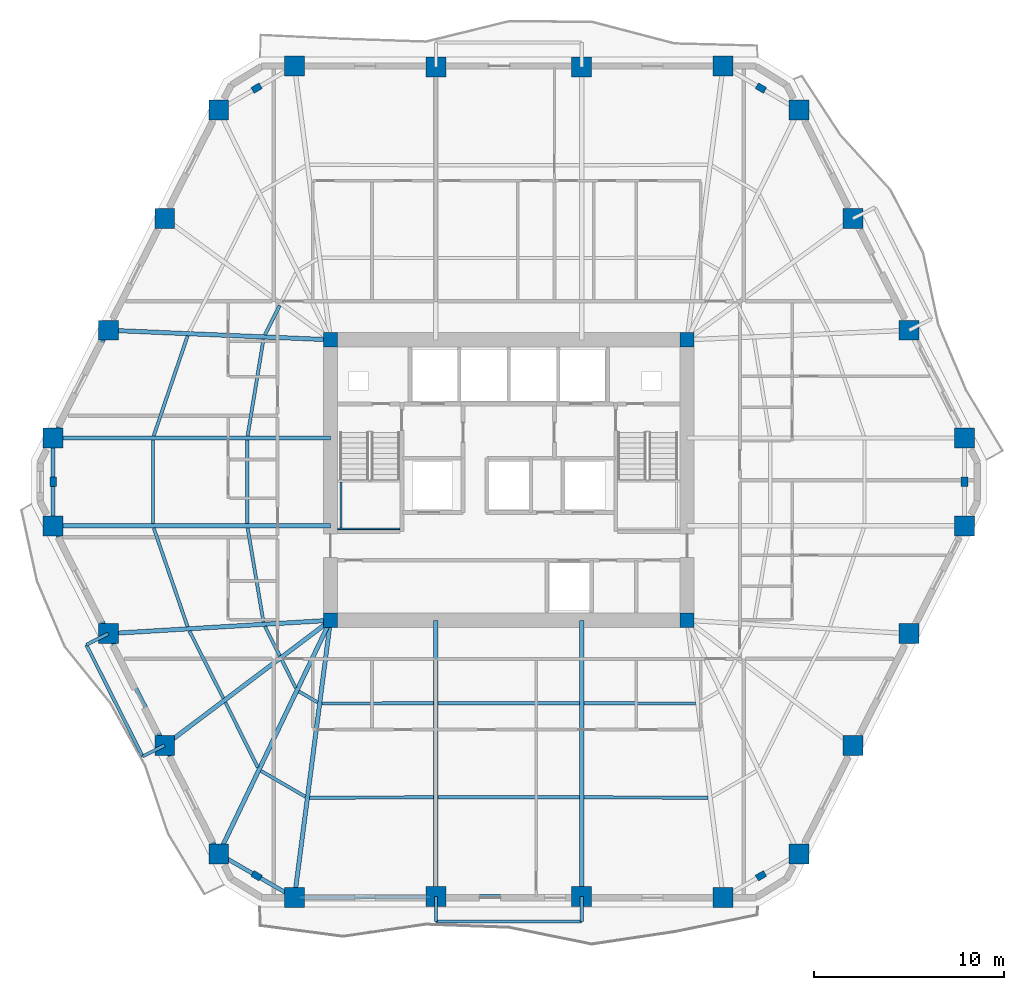
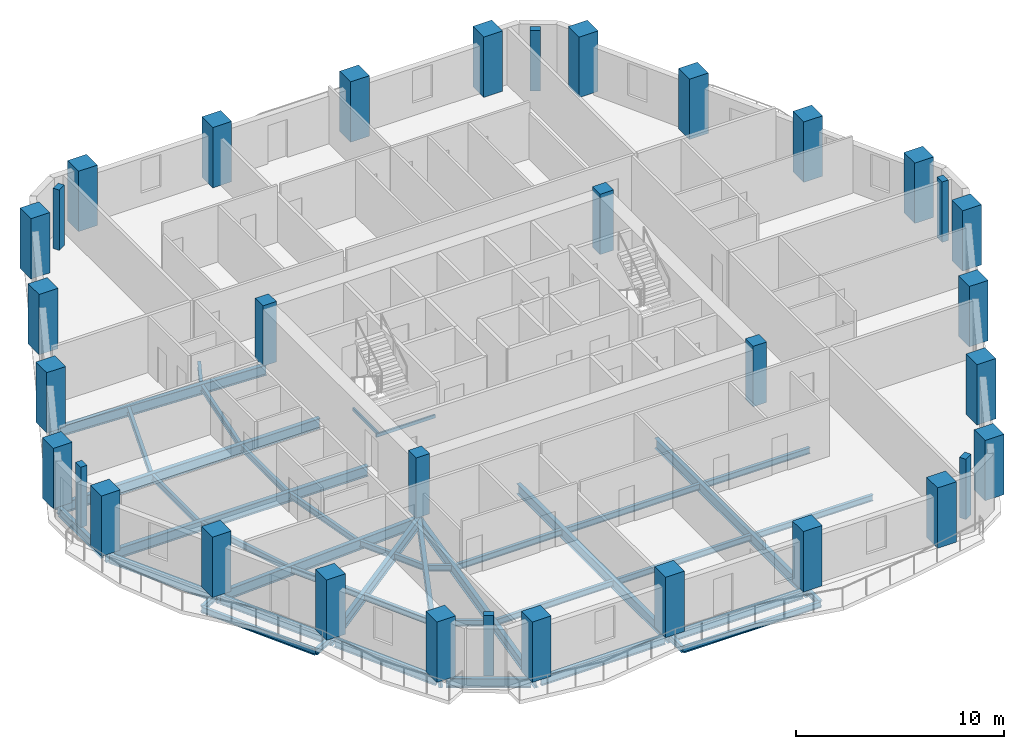
# One storey, part 1 of 11: 44 beams, 34 columns.
"""IFC4 building model written with IfcOpenShell, lengths in metres."""

from ifc_helpers import new_model, si_unit, direction, frame, origin, origin_2d, place, context, subcontext, project, spatial, rectangle, hollow_rectangle, i_section, extrude, material, material_profile, profile_set, type_object, element, save


model = new_model("IFC4")

# Units and contexts
model_context = context("Model", 3, precision=1e-05, world=origin(), true_north=direction((0.0, 1.0)))
body_context = subcontext(model_context, "Body", "Model", "MODEL_VIEW")
ifc_project = project(units=[si_unit("LENGTHUNIT", "METRE"), si_unit("AREAUNIT", "SQUARE_METRE"), si_unit("VOLUMEUNIT", "CUBIC_METRE"), si_unit("PLANEANGLEUNIT", "RADIAN"), si_unit("MASSUNIT", "GRAM", prefix="KILO")], contexts=[model_context])

# Site, building, storey
site_placement = place(None, origin())
site = spatial("IfcSite", under=ifc_project, at=site_placement, CompositionType="ELEMENT")
building_placement = place(site_placement, origin())
building = spatial("IfcBuilding", under=site, at=building_placement, Name="Cinnabar Lancet Tower", CompositionType="ELEMENT")
storey_placement = place(building_placement, frame((0.0, 0.0, 133.89990234375)))
storey = spatial("IfcBuildingStorey", under=building, at=storey_placement, Name="L35", CompositionType="ELEMENT", Elevation=133.89990234375)

# Columns
ifc_material_1 = material(Name="Concrete C70/85", Category="concrete")
ifc_material_profile_1 = material_profile(ifc_material_1, rectangle(XDim=0.75, YDim=0.75, at=origin_2d()), Name="RC-COL 750x750")
ifc_profile_set_1 = profile_set([ifc_material_profile_1], Name="Concrete C70/85")
column_type_1 = type_object("IfcColumnType", Name="STR-COL-CORE-750", PredefinedType="COLUMN", material=ifc_profile_set_1)
for number, where, z_axis, x_axis, name in (
    (1, (23.02490234375, 18.52490234375, 0.0), (0.0, 0.0, 1.0), (1.0, 0.0, 0.0), "L35 Core Corner Column SW"),
    (2, (41.77490234375, 18.52490234375, 0.0), (0.0, 0.0, 1.0), (1.0, 0.0, 0.0), "L35 Core Corner Column SE"),
    (3, (41.77490234375, 33.27490234375, 0.0), (0.0, 0.0, 1.0), (1.0, 0.0, 0.0), "L35 Core Corner Column NE"),
    (4, (23.02490234375, 33.27490234375, 0.0), (0.0, 0.0, 1.0), (1.0, 0.0, 0.0), "L35 Core Corner Column NW"),
):
    element("IfcColumn", number, at=place(storey_placement, frame(where, z_axis=z_axis, x_axis=x_axis)), inside=storey, type_object=column_type_1, Name=name, PredefinedType="COLUMN", context=body_context, shape_type="SweptSolid", body=[
        extrude(rectangle(XDim=0.75, YDim=0.75, at=origin_2d()), origin(), (0.0, 0.0, 1.0), 3.550048828125),
    ])
ifc_material_2 = material(Name="Concrete C60/75", Category="concrete")
ifc_material_profile_2 = material_profile(ifc_material_2, rectangle(XDim=0.5, YDim=0.35009765625, at=origin_2d()), Name="RC-PIL 500x350")
ifc_profile_set_2 = profile_set([ifc_material_profile_2], Name="Concrete C60/75")
column_type_2 = type_object("IfcColumnType", Name="STR-COL-PIL-500", PredefinedType="PILASTER", material=ifc_profile_set_2)
for number, where, z_axis, x_axis, name in (
    (5, (19.14111328125, 5.093017578125, 0.0), (0.0, 0.0, 1.0), (0.865160173452, -0.501495637342, 0.0), "L35 Chamfered Corner Pilaster 1"),
    (6, (45.658935546875, 5.093017578125, 0.0), (0.0, 0.0, 1.0), (0.865160173452, 0.501495637342, 0.0), "L35 Chamfered Corner Pilaster 2"),
    (7, (56.35693359375, 25.800048828125, 0.0), (0.0, 0.0, 1.0), (0.0, 1.0, 0.0), "L35 Chamfered Corner Pilaster 3"),
    (8, (45.658935546875, 46.508056640625, 0.0), (0.0, 0.0, 1.0), (-0.865160173452, 0.501495637342, 0.0), "L35 Chamfered Corner Pilaster 4"),
    (9, (19.14111328125, 46.508056640625, 0.0), (0.0, 0.0, 1.0), (-0.865160173452, -0.501495637342, 0.0), "L35 Chamfered Corner Pilaster 5"),
    (10, (8.443115234375, 25.800048828125, 0.0), (0.0, 0.0, 1.0), (0.0, -1.0, 0.0), "L35 Chamfered Corner Pilaster 6"),
):
    element("IfcColumn", number, at=place(storey_placement, frame(where, z_axis=z_axis, x_axis=x_axis)), inside=storey, type_object=column_type_2, Name=name, PredefinedType="PILASTER", context=body_context, shape_type="SweptSolid", body=[
        extrude(rectangle(XDim=0.5, YDim=0.35009765625, at=origin_2d()), origin(), (0.0, 0.0, 1.0), 3.550048828125),
    ])
ifc_material_3 = material(Name="Concrete C70/85", Category="concrete")
ifc_material_profile_3 = material_profile(ifc_material_3, rectangle(XDim=1.050048828125, YDim=1.050048828125, at=origin_2d()), Name="RC-COL 1050x1050")
ifc_profile_set_3 = profile_set([ifc_material_profile_3], Name="Concrete C70/85")
column_type_3 = type_object("IfcColumnType", Name="STR-COL-TUBE-1050", PredefinedType="COLUMN", material=ifc_profile_set_3)
for number, where, z_axis, x_axis, name in (
    (11, (21.131103515625, 3.93896484375, 0.0), (0.0, 0.0, 1.0), (1.0, 0.0, 0.0), "L35 Perimeter Tube Column 1"),
    (12, (28.568115234375, 3.991943359375, 0.0), (0.0, 0.0, 1.0), (1.0, 0.0, 0.0), "L35 Perimeter Tube Column 2"),
    (13, (36.23193359375, 3.991943359375, 0.0), (0.0, 0.0, 1.0), (1.0, 0.0, 0.0), "L35 Perimeter Tube Column 3"),
    (14, (43.6689453125, 3.93896484375, 0.0), (0.0, 0.0, 1.0), (1.0, 0.0, 0.0), "L35 Perimeter Tube Column 4"),
    (15, (47.64892578125, 6.24609375, 0.0), (0.0, 0.0, 1.0), (1.0, 0.0, 0.0), "L35 Perimeter Tube Column 5"),
    (16, (50.489013671875, 11.955078125, 0.0), (0.0, 0.0, 1.0), (1.0, 0.0, 0.0), "L35 Perimeter Tube Column 6"),
    (17, (53.451904296875, 17.823974609375, 0.0), (0.0, 0.0, 1.0), (1.0, 0.0, 0.0), "L35 Perimeter Tube Column 7"),
    (18, (56.35693359375, 23.490966796875, 0.0), (0.0, 0.0, 1.0), (1.0, 0.0, 0.0), "L35 Perimeter Tube Column 8"),
    (19, (56.35693359375, 28.10888671875, 0.0), (0.0, 0.0, 1.0), (1.0, 0.0, 0.0), "L35 Perimeter Tube Column 9"),
    (20, (53.451904296875, 33.77587890625, 0.0), (0.0, 0.0, 1.0), (1.0, 0.0, 0.0), "L35 Perimeter Tube Column 10"),
    (21, (50.489013671875, 39.64501953125, 0.0), (0.0, 0.0, 1.0), (1.0, 0.0, 0.0), "L35 Perimeter Tube Column 11"),
    (22, (47.64892578125, 45.35400390625, 0.0), (0.0, 0.0, 1.0), (1.0, 0.0, 0.0), "L35 Perimeter Tube Column 12"),
    (23, (43.6689453125, 47.660888671875, 0.0), (0.0, 0.0, 1.0), (1.0, 0.0, 0.0), "L35 Perimeter Tube Column 13"),
    (24, (36.23193359375, 47.60791015625, 0.0), (0.0, 0.0, 1.0), (1.0, 0.0, 0.0), "L35 Perimeter Tube Column 14"),
    (25, (28.568115234375, 47.60791015625, 0.0), (0.0, 0.0, 1.0), (1.0, 0.0, 0.0), "L35 Perimeter Tube Column 15"),
    (26, (21.131103515625, 47.660888671875, 0.0), (0.0, 0.0, 1.0), (1.0, 0.0, 0.0), "L35 Perimeter Tube Column 16"),
    (27, (17.15087890625, 45.35400390625, 0.0), (0.0, 0.0, 1.0), (1.0, 0.0, 0.0), "L35 Perimeter Tube Column 17"),
    (28, (14.31103515625, 39.64501953125, 0.0), (0.0, 0.0, 1.0), (1.0, 0.0, 0.0), "L35 Perimeter Tube Column 18"),
    (29, (11.347900390625, 33.77587890625, 0.0), (0.0, 0.0, 1.0), (1.0, 0.0, 0.0), "L35 Perimeter Tube Column 19"),
    (30, (8.443115234375, 28.10888671875, 0.0), (0.0, 0.0, 1.0), (1.0, 0.0, 0.0), "L35 Perimeter Tube Column 20"),
    (31, (8.443115234375, 23.490966796875, 0.0), (0.0, 0.0, 1.0), (1.0, 0.0, 0.0), "L35 Perimeter Tube Column 21"),
    (32, (11.347900390625, 17.823974609375, 0.0), (0.0, 0.0, 1.0), (1.0, 0.0, 0.0), "L35 Perimeter Tube Column 22"),
    (33, (14.31103515625, 11.955078125, 0.0), (0.0, 0.0, 1.0), (1.0, 0.0, 0.0), "L35 Perimeter Tube Column 23"),
    (34, (17.15087890625, 6.24609375, 0.0), (0.0, 0.0, 1.0), (1.0, 0.0, 0.0), "L35 Perimeter Tube Column 24"),
):
    element("IfcColumn", number, at=place(storey_placement, frame(where, z_axis=z_axis, x_axis=x_axis)), inside=storey, type_object=column_type_3, Name=name, PredefinedType="COLUMN", context=body_context, shape_type="SweptSolid", body=[
        extrude(rectangle(XDim=1.050048828125, YDim=1.050048828125, at=origin_2d()), origin(), (0.0, 0.0, 1.0), 3.550048828125),
    ])

# Beams
ifc_material_4 = material(Name="Structural steel S355", Category="steel")
ifc_material_profile_4 = material_profile(ifc_material_4, i_section(OverallWidth=0.17138671875, OverallDepth=0.35498046875, WebThickness=0.00732421875, FlangeThickness=0.011474609375, FilletRadius=0.01025390625, at=origin_2d()), Name="UKB 356x171x51")
ifc_profile_set_4 = profile_set([ifc_material_profile_4], Name="Structural steel S355")
beam_type_1 = type_object("IfcBeamType", Name="STR-BM-JST-356", PredefinedType="JOIST", material=ifc_profile_set_4)
beam_1_placement = place(storey_placement, frame((13.73193359375, 23.376953125, -0.387939453125), z_axis=(0.324639458548, -0.945837841257, 0.0), x_axis=(0.945837841257, 0.324639458548, 0.0)))
element("IfcBeam", 35, at=beam_1_placement, inside=storey, type_object=beam_type_1, Name="L35 Secondary Floor Joist 1", PredefinedType="JOIST", context=body_context, shape_type="SweptSolid", body=[
    extrude(i_section(OverallWidth=0.17138671875, OverallDepth=0.35498046875, WebThickness=0.00732421875, FlangeThickness=0.011474609375, FilletRadius=0.01025390625, at=origin_2d()), origin(), (0.0, 0.0, 1.0), 5.486083984375),
])
beam_2_placement = place(storey_placement, frame((18.669921875, 23.376953125, -0.387939453125), z_axis=(0.165984412241, -0.986128376477, 0.0), x_axis=(0.986128376477, 0.165984412241, 0.0)))
element("IfcBeam", 36, at=beam_2_placement, inside=storey, type_object=beam_type_1, Name="L35 Secondary Floor Joist 2", PredefinedType="JOIST", context=body_context, shape_type="SweptSolid", body=[
    extrude(i_section(OverallWidth=0.17138671875, OverallDepth=0.35498046875, WebThickness=0.00732421875, FlangeThickness=0.011474609375, FilletRadius=0.01025390625, at=origin_2d()), origin(), (0.0, 0.0, 1.0), 5.0185546875),
])
beam_3_placement = place(storey_placement, frame((15.60791015625, 17.965087890625, -0.387939453125), z_axis=(0.450755070916, -0.892647671841, 0.0), x_axis=(0.892647671841, 0.450755070916, 0.0)))
element("IfcBeam", 37, at=beam_3_placement, inside=storey, type_object=beam_type_1, Name="L35 Secondary Floor Joist 3", PredefinedType="JOIST", context=body_context, shape_type="SweptSolid", body=[
    extrude(i_section(OverallWidth=0.17138671875, OverallDepth=0.35498046875, WebThickness=0.00732421875, FlangeThickness=0.011474609375, FilletRadius=0.01025390625, at=origin_2d()), origin(), (0.0, 0.0, 1.0), 3.966796875),
])
beam_4_placement = place(storey_placement, frame((19.577880859375, 18.2041015625, -0.387939453125), z_axis=(0.450874341268, -0.892587434589, 0.0), x_axis=(0.892587434589, 0.450874341268, 0.0)))
element("IfcBeam", 38, at=beam_4_placement, inside=storey, type_object=beam_type_1, Name="L35 Secondary Floor Joist 4", PredefinedType="JOIST", context=body_context, shape_type="SweptSolid", body=[
    extrude(i_section(OverallWidth=0.17138671875, OverallDepth=0.35498046875, WebThickness=0.00732421875, FlangeThickness=0.011474609375, FilletRadius=0.01025390625, at=origin_2d()), origin(), (0.0, 0.0, 1.0), 1.732177734375),
])
beam_5_placement = place(storey_placement, frame((17.5, 14.216064453125, -0.387939453125), z_axis=(0.445295120803, -0.895383859241, 0.0), x_axis=(0.895383859241, 0.445295120803, 0.0)))
element("IfcBeam", 39, at=beam_5_placement, inside=storey, type_object=beam_type_1, Name="L35 Secondary Floor Joist 5", PredefinedType="JOIST", context=body_context, shape_type="SweptSolid", body=[
    extrude(i_section(OverallWidth=0.17138671875, OverallDepth=0.35498046875, WebThickness=0.00732421875, FlangeThickness=0.011474609375, FilletRadius=0.01025390625, at=origin_2d()), origin(), (0.0, 0.0, 1.0), 3.81982421875),
])
beam_6_placement = place(storey_placement, frame((20.4619140625, 16.449951171875, -0.387939453125), z_axis=(0.445557690111, -0.895253229418, 0.0), x_axis=(0.895253229418, 0.445557690111, 0.0)))
element("IfcBeam", 40, at=beam_6_placement, inside=storey, type_object=beam_type_1, Name="L35 Secondary Floor Joist 6", PredefinedType="JOIST", context=body_context, shape_type="SweptSolid", body=[
    extrude(i_section(OverallWidth=0.17138671875, OverallDepth=0.35498046875, WebThickness=0.00732421875, FlangeThickness=0.011474609375, FilletRadius=0.01025390625, at=origin_2d()), origin(), (0.0, 0.0, 1.0), 1.652099609375),
])
beam_7_placement = place(storey_placement, frame((19.364990234375, 10.60888671875, -0.387939453125), z_axis=(0.865172906898, -0.501473669469, 0.0), x_axis=(0.501473669469, 0.865172906898, 0.0)))
element("IfcBeam", 41, at=beam_7_placement, inside=storey, type_object=beam_type_1, Name="L35 Secondary Floor Joist 7", PredefinedType="JOIST", context=body_context, shape_type="SweptSolid", body=[
    extrude(i_section(OverallWidth=0.17138671875, OverallDepth=0.35498046875, WebThickness=0.00732421875, FlangeThickness=0.011474609375, FilletRadius=0.01025390625, at=origin_2d()), origin(), (0.0, 0.0, 1.0), 2.705810546875),
])
beam_8_placement = place(storey_placement, frame((21.362060546875, 14.783935546875, -0.387939453125), z_axis=(0.865055308165, -0.501676503154, 0.0), x_axis=(0.501676503154, 0.865055308165, 0.0)))
element("IfcBeam", 42, at=beam_8_placement, inside=storey, type_object=beam_type_1, Name="L35 Secondary Floor Joist 8", PredefinedType="JOIST", context=body_context, shape_type="SweptSolid", body=[
    extrude(i_section(OverallWidth=0.17138671875, OverallDepth=0.35498046875, WebThickness=0.00732421875, FlangeThickness=0.011474609375, FilletRadius=0.01025390625, at=origin_2d()), origin(), (0.0, 0.0, 1.0), 1.14208984375),
])
beam_9_placement = place(storey_placement, frame((21.927978515625, 9.19091796875, -0.387939453125), z_axis=(0.999987991898, 0.004900618269, 0.0), x_axis=(-0.004900618269, 0.999987991898, 0.0)))
element("IfcBeam", 43, at=beam_9_placement, inside=storey, type_object=beam_type_1, Name="L35 Secondary Floor Joist 9", PredefinedType="JOIST", context=body_context, shape_type="SweptSolid", body=[
    extrude(i_section(OverallWidth=0.17138671875, OverallDepth=0.35498046875, WebThickness=0.00732421875, FlangeThickness=0.011474609375, FilletRadius=0.01025390625, at=origin_2d()), origin(), (0.0, 0.0, 1.0), 6.526123046875),
])
beam_10_placement = place(storey_placement, frame((22.572021484375, 14.14892578125, -0.387939453125), z_axis=(0.999996247906, 0.002739374605, 0.0), x_axis=(-0.002739374605, 0.999996247906, 0.0)))
element("IfcBeam", 44, at=beam_10_placement, inside=storey, type_object=beam_type_1, Name="L35 Secondary Floor Joist 10", PredefinedType="JOIST", context=body_context, shape_type="SweptSolid", body=[
    extrude(i_section(OverallWidth=0.17138671875, OverallDepth=0.35498046875, WebThickness=0.00732421875, FlangeThickness=0.011474609375, FilletRadius=0.01025390625, at=origin_2d()), origin(), (0.0, 0.0, 1.0), 5.882080078125),
])
for number, where, z_axis, x_axis, name in (
    (45, (28.681884765625, 9.22412109375, -0.387939453125), (1.0, 0.0, 0.0), (0.0, 1.0, 0.0), "L35 Secondary Floor Joist 11"),
    (46, (28.681884765625, 14.1650390625, -0.387939453125), (1.0, 0.0, 0.0), (0.0, 1.0, 0.0), "L35 Secondary Floor Joist 12"),
):
    element("IfcBeam", number, at=place(storey_placement, frame(where, z_axis=z_axis, x_axis=x_axis)), inside=storey, type_object=beam_type_1, Name=name, PredefinedType="JOIST", context=body_context, shape_type="SweptSolid", body=[
        extrude(i_section(OverallWidth=0.17138671875, OverallDepth=0.35498046875, WebThickness=0.00732421875, FlangeThickness=0.011474609375, FilletRadius=0.01025390625, at=origin_2d()), origin(), (0.0, 0.0, 1.0), 7.43603515625),
    ])
beam_11_placement = place(storey_placement, frame((36.345947265625, 9.222900390625, -0.387939453125), z_axis=(0.999987991898, -0.004900618269, 0.0), x_axis=(0.004900618269, 0.999987991898, 0.0)))
element("IfcBeam", 47, at=beam_11_placement, inside=storey, type_object=beam_type_1, Name="L35 Secondary Floor Joist 13", PredefinedType="JOIST", context=body_context, shape_type="SweptSolid", body=[
    extrude(i_section(OverallWidth=0.17138671875, OverallDepth=0.35498046875, WebThickness=0.00732421875, FlangeThickness=0.011474609375, FilletRadius=0.01025390625, at=origin_2d()), origin(), (0.0, 0.0, 1.0), 6.526123046875),
])
beam_12_placement = place(storey_placement, frame((36.345947265625, 14.1650390625, -0.387939453125), z_axis=(0.999996247906, -0.002739374605, 0.0), x_axis=(0.002739374605, 0.999996247906, 0.0)))
element("IfcBeam", 48, at=beam_12_placement, inside=storey, type_object=beam_type_1, Name="L35 Secondary Floor Joist 14", PredefinedType="JOIST", context=body_context, shape_type="SweptSolid", body=[
    extrude(i_section(OverallWidth=0.17138671875, OverallDepth=0.35498046875, WebThickness=0.00732421875, FlangeThickness=0.011474609375, FilletRadius=0.01025390625, at=origin_2d()), origin(), (0.0, 0.0, 1.0), 5.882080078125),
])
beam_13_placement = place(storey_placement, frame((20.35888671875, 35.0830078125, -0.387939453125), z_axis=(-0.450931068976, -0.892558777354, 0.0), x_axis=(0.892558777354, -0.450931068976, 0.0)))
element("IfcBeam", 49, at=beam_13_placement, inside=storey, type_object=beam_type_1, Name="L35 Secondary Floor Joist 44", PredefinedType="JOIST", context=body_context, shape_type="SweptSolid", body=[
    extrude(i_section(OverallWidth=0.17138671875, OverallDepth=0.35498046875, WebThickness=0.00732421875, FlangeThickness=0.011474609375, FilletRadius=0.01025390625, at=origin_2d()), origin(), (0.0, 0.0, 1.0), 1.73193359375),
])
beam_14_placement = place(storey_placement, frame((15.513916015625, 33.48291015625, -0.387939453125), z_axis=(-0.321023911172, -0.947071089442, 0.0), x_axis=(0.947071089442, -0.321023911172, 0.0)))
element("IfcBeam", 50, at=beam_14_placement, inside=storey, type_object=beam_type_1, Name="L35 Secondary Floor Joist 45", PredefinedType="JOIST", context=body_context, shape_type="SweptSolid", body=[
    extrude(i_section(OverallWidth=0.17138671875, OverallDepth=0.35498046875, WebThickness=0.00732421875, FlangeThickness=0.011474609375, FilletRadius=0.01025390625, at=origin_2d()), origin(), (0.0, 0.0, 1.0), 5.553955078125),
])
beam_15_placement = place(storey_placement, frame((19.5029296875, 33.31201171875, -0.387939453125), z_axis=(-0.161719098977, -0.986836832017, 0.0), x_axis=(0.986836832017, -0.161719098977, 0.0)))
element("IfcBeam", 51, at=beam_15_placement, inside=storey, type_object=beam_type_1, Name="L35 Secondary Floor Joist 46", PredefinedType="JOIST", context=body_context, shape_type="SweptSolid", body=[
    extrude(i_section(OverallWidth=0.17138671875, OverallDepth=0.35498046875, WebThickness=0.00732421875, FlangeThickness=0.011474609375, FilletRadius=0.01025390625, at=origin_2d()), origin(), (0.0, 0.0, 1.0), 5.156982421875),
])
for number, where, z_axis, x_axis, name in (
    (52, (13.693115234375, 27.9951171875, -0.387939453125), (0.0, -1.0, 0.0), (1.0, 0.0, 0.0), "L35 Secondary Floor Joist 47"),
    (53, (18.64990234375, 27.9951171875, -0.387939453125), (0.0, -1.0, 0.0), (1.0, 0.0, 0.0), "L35 Secondary Floor Joist 48"),
):
    element("IfcBeam", number, at=place(storey_placement, frame(where, z_axis=z_axis, x_axis=x_axis)), inside=storey, type_object=beam_type_1, Name=name, PredefinedType="JOIST", context=body_context, shape_type="SweptSolid", body=[
        extrude(i_section(OverallWidth=0.17138671875, OverallDepth=0.35498046875, WebThickness=0.00732421875, FlangeThickness=0.011474609375, FilletRadius=0.01025390625, at=origin_2d()), origin(), (0.0, 0.0, 1.0), 4.39013671875),
    ])
ifc_material_5 = material(Name="Structural steel S355", Category="steel")
ifc_material_profile_5 = material_profile(ifc_material_5, hollow_rectangle(XDim=0.10009765625, YDim=0.199951171875, WallThickness=0.008056640625, InnerFilletRadius=0.00390625, OuterFilletRadius=0.011962890625, at=origin_2d()), Name="RHS 200x100x8")
ifc_profile_set_5 = profile_set([ifc_material_profile_5], Name="Structural steel S355")
beam_type_2 = type_object("IfcBeamType", Name="STR-BM-LND-203", PredefinedType="BEAM", material=ifc_profile_set_5)
beam_16_placement = place(storey_placement, frame((23.39990234375, 23.330078125, 1.47509765625), z_axis=(1.0, 0.0, 0.0), x_axis=(0.0, 1.0, 0.0)))
element("IfcBeam", 54, at=beam_16_placement, inside=storey, type_object=beam_type_2, Name="L35 ST-1-L35 Landing Support Beam S", PredefinedType="BEAM", context=body_context, shape_type="SweptSolid", body=[
    extrude(hollow_rectangle(XDim=0.10009765625, YDim=0.199951171875, WallThickness=0.008056640625, InnerFilletRadius=0.00390625, OuterFilletRadius=0.011962890625, at=origin_2d()), origin(), (0.0, 0.0, 1.0), 3.280029296875),
])
beam_17_placement = place(storey_placement, frame((23.580078125, 23.3798828125, 1.47509765625), z_axis=(0.0, 1.0, 0.0), x_axis=(-1.0, 0.0, 0.0)))
element("IfcBeam", 55, at=beam_17_placement, inside=storey, type_object=beam_type_2, Name="L35 ST-1-L35 Landing Side Trimmer Beam", PredefinedType="BEAM", context=body_context, shape_type="SweptSolid", body=[
    extrude(hollow_rectangle(XDim=0.10009765625, YDim=0.199951171875, WallThickness=0.008056640625, InnerFilletRadius=0.00390625, OuterFilletRadius=0.011962890625, at=origin_2d()), origin(), (0.0, 0.0, 1.0), 2.4150390625),
])
ifc_material_6 = material(Name="Structural steel S355", Category="steel")
ifc_material_profile_6 = material_profile(ifc_material_6, i_section(OverallWidth=0.209228515625, OverallDepth=0.533203125, WebThickness=0.010009765625, FlangeThickness=0.015625, FilletRadius=0.0126953125, at=origin_2d()), Name="UKB 533x210x92")
ifc_profile_set_6 = profile_set([ifc_material_profile_6], Name="Structural steel S355")
beam_type_3 = type_object("IfcBeamType", Name="STR-BM-SPN-533", PredefinedType="SPANDREL", material=ifc_profile_set_6)
beam_18_placement = place(storey_placement, frame((21.381103515625, 3.94091796875, -0.476806640625), z_axis=(0.999974980359, 0.007073800628, 0.0), x_axis=(-0.007073800628, 0.999974980359, 0.0)))
element("IfcBeam", 56, at=beam_18_placement, inside=storey, type_object=beam_type_3, Name="L35 Perimeter Spandrel 1", PredefinedType="SPANDREL", context=body_context, shape_type="SweptSolid", body=[
    extrude(i_section(OverallWidth=0.209228515625, OverallDepth=0.533203125, WebThickness=0.010009765625, FlangeThickness=0.015625, FilletRadius=0.0126953125, at=origin_2d()), origin(), (0.0, 0.0, 1.0), 6.937255859375),
])
beam_19_placement = place(storey_placement, frame((28.818115234375, 3.991943359375, -0.476806640625), z_axis=(1.0, 0.0, 0.0), x_axis=(0.0, 1.0, 0.0)))
element("IfcBeam", 57, at=beam_19_placement, inside=storey, type_object=beam_type_3, Name="L35 Perimeter Spandrel 2", PredefinedType="SPANDREL", context=body_context, shape_type="SweptSolid", body=[
    extrude(i_section(OverallWidth=0.209228515625, OverallDepth=0.533203125, WebThickness=0.010009765625, FlangeThickness=0.015625, FilletRadius=0.0126953125, at=origin_2d()), origin(), (0.0, 0.0, 1.0), 7.163818359375),
])
beam_20_placement = place(storey_placement, frame((11.23388671875, 33.553955078125, -0.476806640625), z_axis=(-0.456126618405, -0.889914888055, 0.0), x_axis=(0.889914888055, -0.456126618405, 0.0)))
element("IfcBeam", 58, at=beam_20_placement, inside=storey, type_object=beam_type_3, Name="L35 Perimeter Spandrel 19", PredefinedType="SPANDREL", context=body_context, shape_type="SweptSolid", body=[
    extrude(i_section(OverallWidth=0.209228515625, OverallDepth=0.533203125, WebThickness=0.010009765625, FlangeThickness=0.015625, FilletRadius=0.0126953125, at=origin_2d()), origin(), (0.0, 0.0, 1.0), 5.868896484375),
])
beam_21_placement = place(storey_placement, frame((8.443115234375, 27.85888671875, -0.476806640625), z_axis=(0.0, -1.0, 0.0), x_axis=(1.0, 0.0, 0.0)))
element("IfcBeam", 59, at=beam_21_placement, inside=storey, type_object=beam_type_3, Name="L35 Perimeter Spandrel 20", PredefinedType="SPANDREL", context=body_context, shape_type="SweptSolid", body=[
    extrude(i_section(OverallWidth=0.209228515625, OverallDepth=0.533203125, WebThickness=0.010009765625, FlangeThickness=0.015625, FilletRadius=0.0126953125, at=origin_2d()), origin(), (0.0, 0.0, 1.0), 4.117919921875),
])
beam_22_placement = place(storey_placement, frame((8.556884765625, 23.26904296875, -0.476806640625), z_axis=(0.456109733574, -0.889923542187, 0.0), x_axis=(0.889923542187, 0.456109733574, 0.0)))
element("IfcBeam", 60, at=beam_22_placement, inside=storey, type_object=beam_type_3, Name="L35 Perimeter Spandrel 21", PredefinedType="SPANDREL", context=body_context, shape_type="SweptSolid", body=[
    extrude(i_section(OverallWidth=0.209228515625, OverallDepth=0.533203125, WebThickness=0.010009765625, FlangeThickness=0.015625, FilletRadius=0.0126953125, at=origin_2d()), origin(), (0.0, 0.0, 1.0), 5.869140625),
])
beam_23_placement = place(storey_placement, frame((11.4609375, 17.60107421875, -0.476806640625), z_axis=(0.450570325924, -0.892740937449, 0.0), x_axis=(0.892740937449, 0.450570325924, 0.0)))
element("IfcBeam", 61, at=beam_23_placement, inside=storey, type_object=beam_type_3, Name="L35 Perimeter Spandrel 22", PredefinedType="SPANDREL", context=body_context, shape_type="SweptSolid", body=[
    extrude(i_section(OverallWidth=0.209228515625, OverallDepth=0.533203125, WebThickness=0.010009765625, FlangeThickness=0.015625, FilletRadius=0.0126953125, at=origin_2d()), origin(), (0.0, 0.0, 1.0), 6.07470703125),
])
beam_24_placement = place(storey_placement, frame((14.422119140625, 11.73095703125, -0.476806640625), z_axis=(0.445501068635, -0.89528140707, 0.0), x_axis=(0.89528140707, 0.445501068635, 0.0)))
element("IfcBeam", 62, at=beam_24_placement, inside=storey, type_object=beam_type_3, Name="L35 Perimeter Spandrel 23", PredefinedType="SPANDREL", context=body_context, shape_type="SweptSolid", body=[
    extrude(i_section(OverallWidth=0.209228515625, OverallDepth=0.533203125, WebThickness=0.010009765625, FlangeThickness=0.015625, FilletRadius=0.0126953125, at=origin_2d()), origin(), (0.0, 0.0, 1.0), 5.87646484375),
])
beam_25_placement = place(storey_placement, frame((17.366943359375, 6.12109375, -0.476806640625), z_axis=(0.865112299906, -0.501578217781, 0.0), x_axis=(0.501578217781, 0.865112299906, 0.0)))
element("IfcBeam", 63, at=beam_25_placement, inside=storey, type_object=beam_type_3, Name="L35 Perimeter Spandrel 24", PredefinedType="SPANDREL", context=body_context, shape_type="SweptSolid", body=[
    extrude(i_section(OverallWidth=0.209228515625, OverallDepth=0.533203125, WebThickness=0.010009765625, FlangeThickness=0.015625, FilletRadius=0.0126953125, at=origin_2d()), origin(), (0.0, 0.0, 1.0), 4.101318359375),
])
ifc_material_7 = material(Name="Structural steel S355", Category="steel")
ifc_material_profile_7 = material_profile(ifc_material_7, i_section(OverallWidth=0.228271484375, OverallDepth=0.607666015625, WebThickness=0.010986328125, FlangeThickness=0.017333984375, FilletRadius=0.0126953125, at=origin_2d()), Name="UKB 610x229x113")
ifc_profile_set_7 = profile_set([ifc_material_profile_7], Name="Structural steel S355")
beam_type_4 = type_object("IfcBeamType", Name="STR-BM-UKB610-113", PredefinedType="BEAM", material=ifc_profile_set_7)
beam_26_placement = place(storey_placement, frame((14.31103515625, 11.955078125, -0.513916015625), z_axis=(0.798483350078, 0.602016893158, 0.0), x_axis=(-0.602016893158, 0.798483350078, 0.0)))
element("IfcBeam", 64, at=beam_26_placement, inside=storey, type_object=beam_type_4, Name="L35 Corner Collector Girder 1", PredefinedType="BEAM", context=body_context, shape_type="SweptSolid", body=[
    extrude(i_section(OverallWidth=0.228271484375, OverallDepth=0.607666015625, WebThickness=0.010986328125, FlangeThickness=0.017333984375, FilletRadius=0.0126953125, at=origin_2d()), origin(), (0.0, 0.0, 1.0), 10.9130859375),
])
beam_27_placement = place(storey_placement, frame((21.131103515625, 3.93896484375, -0.513916015625), z_axis=(0.128756570002, 0.991676230269, 0.0), x_axis=(-0.991676230269, 0.128756570002, 0.0)))
element("IfcBeam", 65, at=beam_27_placement, inside=storey, type_object=beam_type_4, Name="L35 Primary Floor Girder 1", PredefinedType="BEAM", context=body_context, shape_type="SweptSolid", body=[
    extrude(i_section(OverallWidth=0.228271484375, OverallDepth=0.607666015625, WebThickness=0.010986328125, FlangeThickness=0.017333984375, FilletRadius=0.0126953125, at=origin_2d()), origin(), (0.0, 0.0, 1.0), 14.708251953125),
])
for number, where, z_axis, x_axis, name in (
    (66, (28.568115234375, 3.991943359375, -0.513916015625), (0.0, 1.0, 0.0), (-1.0, 0.0, 0.0), "L35 Primary Floor Girder 2"),
    (67, (36.23193359375, 3.991943359375, -0.513916015625), (0.0, 1.0, 0.0), (-1.0, 0.0, 0.0), "L35 Primary Floor Girder 3"),
):
    element("IfcBeam", number, at=place(storey_placement, frame(where, z_axis=z_axis, x_axis=x_axis)), inside=storey, type_object=beam_type_4, Name=name, PredefinedType="BEAM", context=body_context, shape_type="SweptSolid", body=[
        extrude(i_section(OverallWidth=0.228271484375, OverallDepth=0.607666015625, WebThickness=0.010986328125, FlangeThickness=0.017333984375, FilletRadius=0.0126953125, at=origin_2d()), origin(), (0.0, 0.0, 1.0), 14.532958984375),
    ])
beam_28_placement = place(storey_placement, frame((11.347900390625, 33.77587890625, -0.513916015625), z_axis=(0.999080941658, -0.042863411158, 0.0), x_axis=(0.042863411158, 0.999080941658, 0.0)))
element("IfcBeam", 68, at=beam_28_placement, inside=storey, type_object=beam_type_4, Name="L35 Primary Floor Girder 19", PredefinedType="BEAM", context=body_context, shape_type="SweptSolid", body=[
    extrude(i_section(OverallWidth=0.228271484375, OverallDepth=0.607666015625, WebThickness=0.010986328125, FlangeThickness=0.017333984375, FilletRadius=0.0126953125, at=origin_2d()), origin(), (0.0, 0.0, 1.0), 11.687744140625),
])
for number, where, z_axis, x_axis, name in (
    (69, (8.443115234375, 28.10888671875, -0.513916015625), (1.0, 0.0, 0.0), (0.0, 1.0, 0.0), "L35 Primary Floor Girder 20"),
    (70, (8.443115234375, 23.490966796875, -0.513916015625), (1.0, 0.0, 0.0), (0.0, 1.0, 0.0), "L35 Primary Floor Girder 21"),
):
    element("IfcBeam", number, at=place(storey_placement, frame(where, z_axis=z_axis, x_axis=x_axis)), inside=storey, type_object=beam_type_4, Name=name, PredefinedType="BEAM", context=body_context, shape_type="SweptSolid", body=[
        extrude(i_section(OverallWidth=0.228271484375, OverallDepth=0.607666015625, WebThickness=0.010986328125, FlangeThickness=0.017333984375, FilletRadius=0.0126953125, at=origin_2d()), origin(), (0.0, 0.0, 1.0), 14.581787109375),
    ])
beam_29_placement = place(storey_placement, frame((11.347900390625, 17.823974609375, -0.513916015625), z_axis=(0.998203272991, 0.059918492897, 0.0), x_axis=(-0.059918492897, 0.998203272991, 0.0)))
element("IfcBeam", 71, at=beam_29_placement, inside=storey, type_object=beam_type_4, Name="L35 Primary Floor Girder 22", PredefinedType="BEAM", context=body_context, shape_type="SweptSolid", body=[
    extrude(i_section(OverallWidth=0.228271484375, OverallDepth=0.607666015625, WebThickness=0.010986328125, FlangeThickness=0.017333984375, FilletRadius=0.0126953125, at=origin_2d()), origin(), (0.0, 0.0, 1.0), 11.697998046875),
])
beam_30_placement = place(storey_placement, frame((17.15087890625, 6.24609375, -0.513916015625), z_axis=(0.431548156881, 0.902089900339, 0.0), x_axis=(-0.902089900339, 0.431548156881, 0.0)))
element("IfcBeam", 72, at=beam_30_placement, inside=storey, type_object=beam_type_4, Name="L35 Primary Floor Girder 24", PredefinedType="BEAM", context=body_context, shape_type="SweptSolid", body=[
    extrude(i_section(OverallWidth=0.228271484375, OverallDepth=0.607666015625, WebThickness=0.010986328125, FlangeThickness=0.017333984375, FilletRadius=0.0126953125, at=origin_2d()), origin(), (0.0, 0.0, 1.0), 13.611572265625),
])
ifc_material_8 = material(Name="Structural steel S355", Category="steel")
ifc_material_profile_8 = material_profile(ifc_material_8, i_section(OverallWidth=0.17138671875, OverallDepth=0.35498046875, WebThickness=0.00732421875, FlangeThickness=0.011474609375, FilletRadius=0.01025390625, at=origin_2d()), Name="UKB 356x171x51")
ifc_profile_set_8 = profile_set([ifc_material_profile_8], Name="Structural steel S355")
beam_type_5 = type_object("IfcBeamType", Name="STR-BM-WAV-OUT", PredefinedType="BEAM", material=ifc_profile_set_8)
for number, where, z_axis, x_axis, name in (
    (73, (28.568115234375, 3.991943359375, -0.39794921875), (0.0, -1.0, 0.0), (1.0, 0.0, 0.0), "L35 Face 1 Balcony Outlooker A"),
    (74, (36.23193359375, 3.991943359375, -0.39794921875), (0.0, -1.0, 0.0), (1.0, 0.0, 0.0), "L35 Face 1 Balcony Outlooker B"),
    (75, (11.347900390625, 17.823974609375, -0.39794921875), (-0.89227592947, -0.451490493464, 0.0), (0.451490493464, -0.89227592947, 0.0), "L35 Face 6 Balcony Outlooker A"),
):
    element("IfcBeam", number, at=place(storey_placement, frame(where, z_axis=z_axis, x_axis=x_axis)), inside=storey, type_object=beam_type_5, Name=name, PredefinedType="BEAM", context=body_context, shape_type="SweptSolid", body=[
        extrude(i_section(OverallWidth=0.17138671875, OverallDepth=0.35498046875, WebThickness=0.00732421875, FlangeThickness=0.011474609375, FilletRadius=0.01025390625, at=origin_2d()), origin(), (0.0, 0.0, 1.0), 1.300048828125),
    ])
beam_31_placement = place(storey_placement, frame((14.31103515625, 11.955078125, -0.39794921875), z_axis=(-0.892238560088, -0.451564338597, 0.0), x_axis=(0.451564338597, -0.892238560088, 0.0)))
element("IfcBeam", 76, at=beam_31_placement, inside=storey, type_object=beam_type_5, Name="L35 Face 6 Balcony Outlooker B", PredefinedType="BEAM", context=body_context, shape_type="SweptSolid", body=[
    extrude(i_section(OverallWidth=0.17138671875, OverallDepth=0.35498046875, WebThickness=0.00732421875, FlangeThickness=0.011474609375, FilletRadius=0.01025390625, at=origin_2d()), origin(), (0.0, 0.0, 1.0), 1.30029296875),
])
ifc_material_9 = material(Name="Structural steel S355", Category="steel")
ifc_material_profile_9 = material_profile(ifc_material_9, i_section(OverallWidth=0.17138671875, OverallDepth=0.35498046875, WebThickness=0.00732421875, FlangeThickness=0.011474609375, FilletRadius=0.01025390625, at=origin_2d()), Name="UKB 356x171x51")
ifc_profile_set_9 = profile_set([ifc_material_profile_9], Name="Structural steel S355")
beam_type_6 = type_object("IfcBeamType", Name="STR-BM-WAV-TRIM", PredefinedType="SPANDREL", material=ifc_profile_set_9)
beam_32_placement = place(storey_placement, frame((28.568115234375, 2.69189453125, -0.39794921875), z_axis=(1.0, 0.0, 0.0), x_axis=(0.0, 1.0, 0.0)))
element("IfcBeam", 77, at=beam_32_placement, inside=storey, type_object=beam_type_6, Name="L35 Face 1 Balcony Edge Trimmer", PredefinedType="SPANDREL", context=body_context, shape_type="SweptSolid", body=[
    extrude(i_section(OverallWidth=0.17138671875, OverallDepth=0.35498046875, WebThickness=0.00732421875, FlangeThickness=0.011474609375, FilletRadius=0.01025390625, at=origin_2d()), origin(), (0.0, 0.0, 1.0), 7.663818359375),
])
beam_33_placement = place(storey_placement, frame((10.18798828125, 17.237060546875, -0.39794921875), z_axis=(0.450656296771, -0.892697542385, 0.0), x_axis=(0.892697542385, 0.450656296771, 0.0)))
element("IfcBeam", 78, at=beam_33_placement, inside=storey, type_object=beam_type_6, Name="L35 Face 6 Balcony Edge Trimmer", PredefinedType="SPANDREL", context=body_context, shape_type="SweptSolid", body=[
    extrude(i_section(OverallWidth=0.17138671875, OverallDepth=0.35498046875, WebThickness=0.00732421875, FlangeThickness=0.011474609375, FilletRadius=0.01025390625, at=origin_2d()), origin(), (0.0, 0.0, 1.0), 6.57470703125),
])

save(model, "model.ifc")
